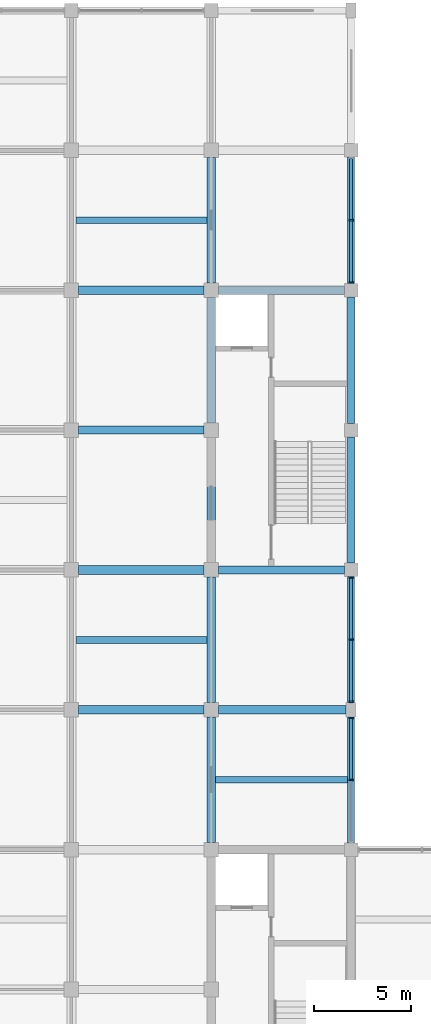
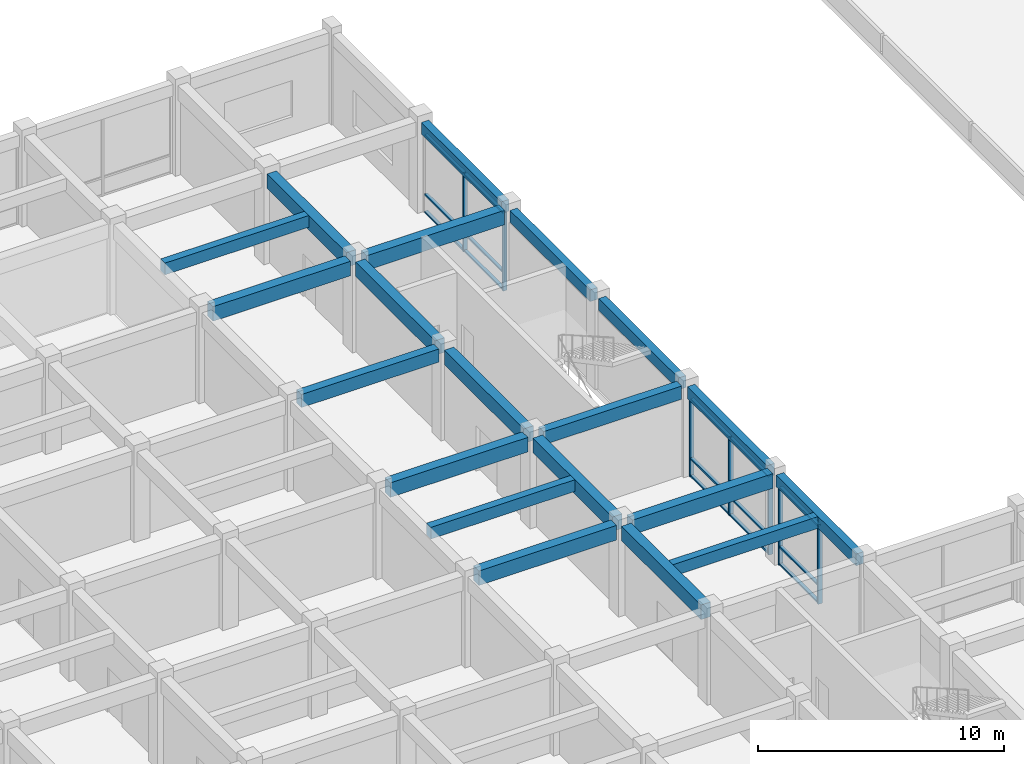
# One storey, part 10 of 30: 22 members, 20 beams, 3 elements without a shape of their own.
"""IFC4 building model written with IfcOpenShell, lengths in metres."""

from ifc_helpers import new_model, si_unit, direction, frame, origin, origin_2d, place, context, subcontext, project, spatial, rectangle, extrude, material, layer, layer_set, material_profile, profile_set, type_object, element, aggregate, save


model = new_model("IFC4")

# Units and contexts
model_context = context("Model", 3, precision=1e-05, world=origin(), true_north=direction((0.0, 1.0)))
body_context = subcontext(model_context, "Body", "Model", "MODEL_VIEW")
ifc_project = project(units=[si_unit("LENGTHUNIT", "METRE"), si_unit("AREAUNIT", "SQUARE_METRE"), si_unit("VOLUMEUNIT", "CUBIC_METRE"), si_unit("PLANEANGLEUNIT", "RADIAN"), si_unit("MASSUNIT", "GRAM", prefix="KILO")], contexts=[model_context])

# Site, building, storey
site_placement = place(None, origin())
site = spatial("IfcSite", under=ifc_project, at=site_placement, CompositionType="ELEMENT")
building_placement = place(site_placement, origin())
building = spatial("IfcBuilding", under=site, at=building_placement, Name="Cendaluz Park School", CompositionType="ELEMENT")
storey_placement = place(building_placement, frame((0.0, 0.0, 9.60009765625)))
storey = spatial("IfcBuildingStorey", under=building, at=storey_placement, Name="L02", CompositionType="ELEMENT", Elevation=9.60009765625)

# Beams
ifc_material_1 = material(Name="Concrete C40/50", Category="concrete")
ifc_material_profile_1 = material_profile(ifc_material_1, rectangle(XDim=0.449951171875, YDim=0.719970703125, at=origin_2d()), Name="RC 450x720", Category="concrete")
ifc_profile_set_1 = profile_set([ifc_material_profile_1], Name="Concrete C40/50")
beam_type_1 = type_object("IfcBeamType", Name="BM-RC02", PredefinedType="BEAM", material=ifc_profile_set_1)
for number, where, z_axis, x_axis, name in (
    (1, (93.97509765625, 36.0, 4.099853515625), (1.0, 0.0, 0.0), (0.0, 1.0, 0.0), "BM-L02-BMRC02-0078"),
    (2, (93.97509765625, 43.199951171875, 4.099853515625), (1.0, 0.0, 0.0), (0.0, 1.0, 0.0), "BM-L02-BMRC02-0079"),
    (3, (93.97509765625, 57.60009765625, 4.099853515625), (1.0, 0.0, 0.0), (0.0, 1.0, 0.0), "BM-L02-BMRC02-0081"),
):
    element("IfcBeam", number, at=place(storey_placement, frame(where, z_axis=z_axis, x_axis=x_axis)), inside=storey, type_object=beam_type_1, Name=name, PredefinedType="BEAM", context=body_context, shape_type="SweptSolid", body=[
        extrude(rectangle(XDim=0.449951171875, YDim=0.719970703125, at=origin_2d()), origin(), (0.0, 0.0, 1.0), 6.449951171875),
    ])
beam_1_placement = place(storey_placement, frame((101.175048828125, 36.0, 4.099853515625), z_axis=(1.0, 0.0, 0.0), x_axis=(0.0, 1.0, 0.0)))
element("IfcBeam", 4, at=beam_1_placement, inside=storey, type_object=beam_type_1, Name="BM-L02-BMRC02-0087", PredefinedType="BEAM", context=body_context, shape_type="SweptSolid", body=[
    extrude(rectangle(XDim=0.449951171875, YDim=0.719970703125, at=origin_2d()), origin(), (0.0, 0.0, 1.0), 6.574951171875),
])
beam_2_placement = place(storey_placement, frame((101.175048828125, 57.60009765625, 4.099853515625), z_axis=(1.0, 0.0, 0.0), x_axis=(0.0, 1.0, 0.0)))
element("IfcBeam", 5, at=beam_2_placement, inside=storey, type_object=beam_type_1, Name="BM-L02-BMRC02-0089", PredefinedType="BEAM", context=body_context, shape_type="SweptSolid", body=[
    extrude(rectangle(XDim=0.449951171875, YDim=0.719970703125, at=origin_2d()), origin(), (0.0, 0.0, 1.0), 6.474853515625),
])
for number, where, z_axis, x_axis, name in (
    (6, (100.800048828125, 29.175048828125, 4.099853515625), (0.0, 1.0, 0.0), (-1.0, 0.0, 0.0), "BM-L02-BMRC02-0202"),
    (7, (100.800048828125, 36.375, 4.099853515625), (0.0, 1.0, 0.0), (-1.0, 0.0, 0.0), "BM-L02-BMRC02-0203"),
    (8, (100.800048828125, 43.574951171875, 4.099853515625), (0.0, 1.0, 0.0), (-1.0, 0.0, 0.0), "BM-L02-BMRC02-0204"),
):
    element("IfcBeam", number, at=place(storey_placement, frame(where, z_axis=z_axis, x_axis=x_axis)), inside=storey, type_object=beam_type_1, Name=name, PredefinedType="BEAM", context=body_context, shape_type="SweptSolid", body=[
        extrude(rectangle(XDim=0.449951171875, YDim=0.719970703125, at=origin_2d()), origin(), (0.0, 0.0, 1.0), 6.449951171875),
    ])
beam_3_placement = place(storey_placement, frame((100.800048828125, 50.77490234375, 4.099853515625), z_axis=(0.0, 1.0, 0.0), x_axis=(-1.0, 0.0, 0.0)))
element("IfcBeam", 9, at=beam_3_placement, inside=storey, type_object=beam_type_1, Name="BM-L02-BMRC02-0205", PredefinedType="BEAM", context=body_context, shape_type="SweptSolid", body=[
    extrude(rectangle(XDim=0.449951171875, YDim=0.719970703125, at=origin_2d()), origin(), (0.0, 0.0, 1.0), 6.4501953125),
])
beam_4_placement = place(storey_placement, frame((100.800048828125, 57.97509765625, 4.099853515625), z_axis=(0.0, 1.0, 0.0), x_axis=(-1.0, 0.0, 0.0)))
element("IfcBeam", 10, at=beam_4_placement, inside=storey, type_object=beam_type_1, Name="BM-L02-BMRC02-0206", PredefinedType="BEAM", context=body_context, shape_type="SweptSolid", body=[
    extrude(rectangle(XDim=0.449951171875, YDim=0.719970703125, at=origin_2d()), origin(), (0.0, 0.0, 1.0), 6.449951171875),
])
ifc_material_profile_2 = material_profile(ifc_material_1, rectangle(XDim=0.39990234375, YDim=0.64990234375, at=origin_2d()), Name="RC 400x650", Category="concrete")
ifc_profile_set_2 = profile_set([ifc_material_profile_2], Name="Concrete C40/50")
beam_type_2 = type_object("IfcBeamType", Name="BM-RC03", PredefinedType="T_BEAM", material=ifc_profile_set_2)
beam_5_placement = place(storey_placement, frame((93.97509765625, 50.39990234375, 4.135009765625), z_axis=(1.0, 0.0, 0.0), x_axis=(0.0, 1.0, 0.0)))
element("IfcBeam", 11, at=beam_5_placement, inside=storey, type_object=beam_type_2, Name="BM-L02-BMRC03-0080", PredefinedType="T_BEAM", context=body_context, shape_type="SweptSolid", body=[
    extrude(rectangle(XDim=0.39990234375, YDim=0.64990234375, at=origin_2d()), origin(), (0.0, 0.0, 1.0), 6.449951171875),
])
beam_6_placement = place(storey_placement, frame((101.175048828125, 43.199951171875, 4.135009765625), z_axis=(1.0, 0.0, 0.0), x_axis=(0.0, 1.0, 0.0)))
element("IfcBeam", 12, at=beam_6_placement, inside=storey, type_object=beam_type_2, Name="BM-L02-BMRC03-0088", PredefinedType="T_BEAM", context=body_context, shape_type="SweptSolid", body=[
    extrude(rectangle(XDim=0.39990234375, YDim=0.64990234375, at=origin_2d()), origin(), (0.0, 0.0, 1.0), 6.474853515625),
])
ifc_material_profile_3 = material_profile(ifc_material_1, rectangle(XDim=0.35009765625, YDim=0.580078125, at=origin_2d()), Name="RC 350x580", Category="concrete")
ifc_profile_set_3 = profile_set([ifc_material_profile_3], Name="Concrete C40/50")
beam_type_3 = type_object("IfcBeamType", Name="BM-RC04", PredefinedType="LINTEL", material=ifc_profile_set_3)
for number, where, z_axis, x_axis, name in (
    (13, (108.0, 29.14990234375, 4.169921875), (0.0, 1.0, 0.0), (-1.0, 0.0, 0.0), "BM-L02-BMRC04-0211"),
    (14, (108.0, 36.375, 4.169921875), (0.0, 1.0, 0.0), (-1.0, 0.0, 0.0), "BM-L02-BMRC04-0212"),
):
    element("IfcBeam", number, at=place(storey_placement, frame(where, z_axis=z_axis, x_axis=x_axis)), inside=storey, type_object=beam_type_3, Name=name, PredefinedType="LINTEL", context=body_context, shape_type="SweptSolid", body=[
        extrude(rectangle(XDim=0.35009765625, YDim=0.580078125, at=origin_2d()), origin(), (0.0, 0.0, 1.0), 6.47509765625),
    ])
for number, where, z_axis, x_axis, name in (
    (15, (108.0, 43.550048828125, 4.169921875), (0.0, 1.0, 0.0), (-1.0, 0.0, 0.0), "BM-L02-BMRC04-0213"),
    (16, (108.0, 50.75, 4.169921875), (0.0, 1.0, 0.0), (-1.0, 0.0, 0.0), "BM-L02-BMRC04-0214"),
    (17, (108.0, 57.949951171875, 4.169921875), (0.0, 1.0, 0.0), (-1.0, 0.0, 0.0), "BM-L02-BMRC04-0215"),
):
    element("IfcBeam", number, at=place(storey_placement, frame(where, z_axis=z_axis, x_axis=x_axis)), inside=storey, type_object=beam_type_3, Name=name, PredefinedType="LINTEL", context=body_context, shape_type="SweptSolid", body=[
        extrude(rectangle(XDim=0.35009765625, YDim=0.580078125, at=origin_2d()), origin(), (0.0, 0.0, 1.0), 6.5),
    ])

# Curtain wall, members
ifc_material_2 = material(Name="Anodised Aluminium 6063-T6", Category="aluminium")
ifc_layer = layer(ifc_material_2, 0.179931640625)
ifc_layer_set = layer_set([ifc_layer], Name="Anodised Aluminium 6063-T6")
curtain_wall_type = type_object("IfcCurtainWallType", Name="CW-130x78", PredefinedType="NOTDEFINED", material=ifc_layer_set)
curtain_wall_1_placement = place(storey_placement, origin())
curtain_wall_1 = element("IfcCurtainWall", 18, at=curtain_wall_1_placement, inside=storey, type_object=curtain_wall_type, Name="CW-L02-115", PredefinedType="NOTDEFINED")
ifc_material_profile_4 = material_profile(ifc_material_2, rectangle(XDim=0.199951171875, YDim=0.080078125, at=origin_2d()), Name="CWM 200x80", Category="aluminium")
ifc_profile_set_4 = profile_set([ifc_material_profile_4], Name="Anodised Aluminium 6063-T6")
member_type_1 = type_object("IfcMemberType", Name="CWM-02", PredefinedType="MULLION", material=ifc_profile_set_4)
member_1_placement = place(storey_placement, frame((108.0, 32.387451171875, 0.0), z_axis=(0.0, 0.0, 1.0), x_axis=(-1.0, 0.0, 0.0)))
member_1 = element("IfcMember", 19, at=member_1_placement, type_object=member_type_1, Name="CP-L02-1484", PredefinedType="MULLION", context=body_context, shape_type="SweptSolid", body=[
    extrude(rectangle(XDim=0.199951171875, YDim=0.080078125, at=origin_2d()), origin(), (0.0, 0.0, 1.0), 3.8798828125),
])
member_2_placement = place(storey_placement, frame((108.0, 35.5849609375, 0.0), z_axis=(0.0, 0.0, 1.0), x_axis=(-1.0, 0.0, 0.0)))
member_2 = element("IfcMember", 20, at=member_2_placement, type_object=member_type_1, Name="CP-L02-1485", PredefinedType="MULLION", context=body_context, shape_type="SweptSolid", body=[
    extrude(rectangle(XDim=0.199951171875, YDim=0.080078125, at=origin_2d()), origin(), (0.0, 0.0, 1.0), 3.8798828125),
])

curtain_wall_2_placement = place(storey_placement, origin())
curtain_wall_2 = element("IfcCurtainWall", 21, at=curtain_wall_2_placement, inside=storey, type_object=curtain_wall_type, Name="CW-L02-116", PredefinedType="NOTDEFINED")
member_3_placement = place(storey_placement, frame((108.0, 36.4150390625, 0.0), z_axis=(0.0, 0.0, 1.0), x_axis=(-1.0, 0.0, 0.0)))
member_3 = element("IfcMember", 22, at=member_3_placement, type_object=member_type_1, Name="CP-L02-1496", PredefinedType="MULLION", context=body_context, shape_type="SweptSolid", body=[
    extrude(rectangle(XDim=0.199951171875, YDim=0.080078125, at=origin_2d()), origin(), (0.0, 0.0, 1.0), 3.8798828125),
])
member_4_placement = place(storey_placement, frame((108.0, 39.612548828125, 0.0), z_axis=(0.0, 0.0, 1.0), x_axis=(-1.0, 0.0, 0.0)))
member_4 = element("IfcMember", 23, at=member_4_placement, type_object=member_type_1, Name="CP-L02-1497", PredefinedType="MULLION", context=body_context, shape_type="SweptSolid", body=[
    extrude(rectangle(XDim=0.199951171875, YDim=0.080078125, at=origin_2d()), origin(), (0.0, 0.0, 1.0), 3.8798828125),
])
member_5_placement = place(storey_placement, frame((108.0, 42.81005859375, 0.0), z_axis=(0.0, 0.0, 1.0), x_axis=(-1.0, 0.0, 0.0)))
member_5 = element("IfcMember", 24, at=member_5_placement, type_object=member_type_1, Name="CP-L02-1498", PredefinedType="MULLION", context=body_context, shape_type="SweptSolid", body=[
    extrude(rectangle(XDim=0.199951171875, YDim=0.080078125, at=origin_2d()), origin(), (0.0, 0.0, 1.0), 3.8798828125),
])

curtain_wall_3_placement = place(storey_placement, origin())
curtain_wall_3 = element("IfcCurtainWall", 25, at=curtain_wall_3_placement, inside=storey, type_object=curtain_wall_type, Name="CW-L02-117", PredefinedType="NOTDEFINED")
member_6_placement = place(storey_placement, frame((108.0, 57.989990234375, 0.0), z_axis=(0.0, 0.0, 1.0), x_axis=(-1.0, 0.0, 0.0)))
member_6 = element("IfcMember", 26, at=member_6_placement, type_object=member_type_1, Name="CP-L02-1509", PredefinedType="MULLION", context=body_context, shape_type="SweptSolid", body=[
    extrude(rectangle(XDim=0.199951171875, YDim=0.080078125, at=origin_2d()), origin(), (0.0, 0.0, 1.0), 3.8798828125),
])
member_7_placement = place(storey_placement, frame((108.0, 61.199951171875, 0.0), z_axis=(0.0, 0.0, 1.0), x_axis=(-1.0, 0.0, 0.0)))
member_7 = element("IfcMember", 27, at=member_7_placement, type_object=member_type_1, Name="CP-L02-1510", PredefinedType="MULLION", context=body_context, shape_type="SweptSolid", body=[
    extrude(rectangle(XDim=0.199951171875, YDim=0.080078125, at=origin_2d()), origin(), (0.0, 0.0, 1.0), 3.8798828125),
])

# Member
ifc_material_profile_5 = material_profile(ifc_material_2, rectangle(XDim=0.14990234375, YDim=0.080078125, at=origin_2d()), Name="CWT 150x80", Category="aluminium")
ifc_profile_set_5 = profile_set([ifc_material_profile_5], Name="Anodised Aluminium 6063-T6")
member_type_2 = type_object("IfcMemberType", Name="CWT-02", PredefinedType="USERDEFINED", material=ifc_profile_set_5)
member_8_placement = place(storey_placement, frame((108.0, 32.427490234375, 0.039794921875), z_axis=(0.0, 1.0, 0.0), x_axis=(-1.0, 0.0, 0.0)))
member_8 = element("IfcMember", 28, at=member_8_placement, type_object=member_type_2, Name="CP-L02-1491", ObjectType="TRANSOM", PredefinedType="USERDEFINED", context=body_context, shape_type="SweptSolid", body=[
    extrude(rectangle(XDim=0.14990234375, YDim=0.080078125, at=origin_2d()), origin(), (0.0, 0.0, 1.0), 3.117431640625),
])

member_9_placement = place(storey_placement, frame((108.0, 32.427490234375, 0.89990234375), z_axis=(0.0, 1.0, 0.0), x_axis=(-1.0, 0.0, 0.0)))
member_9 = element("IfcMember", 29, at=member_9_placement, type_object=member_type_2, Name="CP-L02-1492", ObjectType="TRANSOM", PredefinedType="USERDEFINED", context=body_context, shape_type="SweptSolid", body=[
    extrude(rectangle(XDim=0.14990234375, YDim=0.080078125, at=origin_2d()), origin(), (0.0, 0.0, 1.0), 3.117431640625),
])

member_10_placement = place(storey_placement, frame((108.0, 32.427490234375, 3.83984375), z_axis=(0.0, 1.0, 0.0), x_axis=(-1.0, 0.0, 0.0)))
member_10 = element("IfcMember", 30, at=member_10_placement, type_object=member_type_2, Name="CP-L02-1493", ObjectType="TRANSOM", PredefinedType="USERDEFINED", context=body_context, shape_type="SweptSolid", body=[
    extrude(rectangle(XDim=0.14990234375, YDim=0.080078125, at=origin_2d()), origin(), (0.0, 0.0, 1.0), 3.117431640625),
])

aggregate(curtain_wall_1, [member_1, member_2, member_8, member_9, member_10])

member_11_placement = place(storey_placement, frame((108.0, 36.455078125, 0.039794921875), z_axis=(0.0, 1.0, 0.0), x_axis=(-1.0, 0.0, 0.0)))
member_11 = element("IfcMember", 31, at=member_11_placement, type_object=member_type_2, Name="CP-L02-1499", ObjectType="TRANSOM", PredefinedType="USERDEFINED", context=body_context, shape_type="SweptSolid", body=[
    extrude(rectangle(XDim=0.14990234375, YDim=0.080078125, at=origin_2d()), origin(), (0.0, 0.0, 1.0), 3.117431640625),
])

member_12_placement = place(storey_placement, frame((108.0, 36.455078125, 0.89990234375), z_axis=(0.0, 1.0, 0.0), x_axis=(-1.0, 0.0, 0.0)))
member_12 = element("IfcMember", 32, at=member_12_placement, type_object=member_type_2, Name="CP-L02-1500", ObjectType="TRANSOM", PredefinedType="USERDEFINED", context=body_context, shape_type="SweptSolid", body=[
    extrude(rectangle(XDim=0.14990234375, YDim=0.080078125, at=origin_2d()), origin(), (0.0, 0.0, 1.0), 3.117431640625),
])

member_13_placement = place(storey_placement, frame((108.0, 36.455078125, 3.83984375), z_axis=(0.0, 1.0, 0.0), x_axis=(-1.0, 0.0, 0.0)))
member_13 = element("IfcMember", 33, at=member_13_placement, type_object=member_type_2, Name="CP-L02-1501", ObjectType="TRANSOM", PredefinedType="USERDEFINED", context=body_context, shape_type="SweptSolid", body=[
    extrude(rectangle(XDim=0.14990234375, YDim=0.080078125, at=origin_2d()), origin(), (0.0, 0.0, 1.0), 3.117431640625),
])

member_14_placement = place(storey_placement, frame((108.0, 39.652587890625, 0.039794921875), z_axis=(0.0, 1.0, 0.0), x_axis=(-1.0, 0.0, 0.0)))
member_14 = element("IfcMember", 34, at=member_14_placement, type_object=member_type_2, Name="CP-L02-1504", ObjectType="TRANSOM", PredefinedType="USERDEFINED", context=body_context, shape_type="SweptSolid", body=[
    extrude(rectangle(XDim=0.14990234375, YDim=0.080078125, at=origin_2d()), origin(), (0.0, 0.0, 1.0), 3.117431640625),
])

member_15_placement = place(storey_placement, frame((108.0, 39.652587890625, 0.89990234375), z_axis=(0.0, 1.0, 0.0), x_axis=(-1.0, 0.0, 0.0)))
member_15 = element("IfcMember", 35, at=member_15_placement, type_object=member_type_2, Name="CP-L02-1505", ObjectType="TRANSOM", PredefinedType="USERDEFINED", context=body_context, shape_type="SweptSolid", body=[
    extrude(rectangle(XDim=0.14990234375, YDim=0.080078125, at=origin_2d()), origin(), (0.0, 0.0, 1.0), 3.117431640625),
])

member_16_placement = place(storey_placement, frame((108.0, 39.652587890625, 3.83984375), z_axis=(0.0, 1.0, 0.0), x_axis=(-1.0, 0.0, 0.0)))
member_16 = element("IfcMember", 36, at=member_16_placement, type_object=member_type_2, Name="CP-L02-1506", ObjectType="TRANSOM", PredefinedType="USERDEFINED", context=body_context, shape_type="SweptSolid", body=[
    extrude(rectangle(XDim=0.14990234375, YDim=0.080078125, at=origin_2d()), origin(), (0.0, 0.0, 1.0), 3.117431640625),
])

aggregate(curtain_wall_2, [member_3, member_4, member_5, member_11, member_12, member_13, member_14, member_15, member_16])

member_17_placement = place(storey_placement, frame((108.0, 58.030029296875, 0.039794921875), z_axis=(0.0, 1.0, 0.0), x_axis=(-1.0, 0.0, 0.0)))
member_17 = element("IfcMember", 37, at=member_17_placement, type_object=member_type_2, Name="CP-L02-1512", ObjectType="TRANSOM", PredefinedType="USERDEFINED", context=body_context, shape_type="SweptSolid", body=[
    extrude(rectangle(XDim=0.14990234375, YDim=0.080078125, at=origin_2d()), origin(), (0.0, 0.0, 1.0), 3.1298828125),
])

member_18_placement = place(storey_placement, frame((108.0, 58.030029296875, 0.89990234375), z_axis=(0.0, 1.0, 0.0), x_axis=(-1.0, 0.0, 0.0)))
member_18 = element("IfcMember", 38, at=member_18_placement, type_object=member_type_2, Name="CP-L02-1513", ObjectType="TRANSOM", PredefinedType="USERDEFINED", context=body_context, shape_type="SweptSolid", body=[
    extrude(rectangle(XDim=0.14990234375, YDim=0.080078125, at=origin_2d()), origin(), (0.0, 0.0, 1.0), 3.1298828125),
])

member_19_placement = place(storey_placement, frame((108.0, 58.030029296875, 3.83984375), z_axis=(0.0, 1.0, 0.0), x_axis=(-1.0, 0.0, 0.0)))
member_19 = element("IfcMember", 39, at=member_19_placement, type_object=member_type_2, Name="CP-L02-1514", ObjectType="TRANSOM", PredefinedType="USERDEFINED", context=body_context, shape_type="SweptSolid", body=[
    extrude(rectangle(XDim=0.14990234375, YDim=0.080078125, at=origin_2d()), origin(), (0.0, 0.0, 1.0), 3.1298828125),
])

member_20_placement = place(storey_placement, frame((108.0, 61.239990234375, 0.039794921875), z_axis=(0.0, 1.0, 0.0), x_axis=(-1.0, 0.0, 0.0)))
member_20 = element("IfcMember", 40, at=member_20_placement, type_object=member_type_2, Name="CP-L02-1517", ObjectType="TRANSOM", PredefinedType="USERDEFINED", context=body_context, shape_type="SweptSolid", body=[
    extrude(rectangle(XDim=0.14990234375, YDim=0.080078125, at=origin_2d()), origin(), (0.0, 0.0, 1.0), 3.130126953125),
])

member_21_placement = place(storey_placement, frame((108.0, 61.239990234375, 0.89990234375), z_axis=(0.0, 1.0, 0.0), x_axis=(-1.0, 0.0, 0.0)))
member_21 = element("IfcMember", 41, at=member_21_placement, type_object=member_type_2, Name="CP-L02-1518", ObjectType="TRANSOM", PredefinedType="USERDEFINED", context=body_context, shape_type="SweptSolid", body=[
    extrude(rectangle(XDim=0.14990234375, YDim=0.080078125, at=origin_2d()), origin(), (0.0, 0.0, 1.0), 3.130126953125),
])

member_22_placement = place(storey_placement, frame((108.0, 61.239990234375, 3.83984375), z_axis=(0.0, 1.0, 0.0), x_axis=(-1.0, 0.0, 0.0)))
member_22 = element("IfcMember", 42, at=member_22_placement, type_object=member_type_2, Name="CP-L02-1519", ObjectType="TRANSOM", PredefinedType="USERDEFINED", context=body_context, shape_type="SweptSolid", body=[
    extrude(rectangle(XDim=0.14990234375, YDim=0.080078125, at=origin_2d()), origin(), (0.0, 0.0, 1.0), 3.130126953125),
])

aggregate(curtain_wall_3, [member_6, member_7, member_17, member_18, member_19, member_20, member_21, member_22])

# Beams
ifc_material_profile_6 = material_profile(ifc_material_1, rectangle(XDim=0.35009765625, YDim=0.580078125, at=origin_2d()), Name="RC 350x580", Category="concrete")
ifc_profile_set_6 = profile_set([ifc_material_profile_6], Name="Concrete C40/50")
beam_type_4 = type_object("IfcBeamType", Name="JT-RC01", PredefinedType="JOIST", material=ifc_profile_set_6)
for number, where, z_axis, x_axis, name in (
    (43, (93.824951171875, 39.60009765625, 4.169921875), (1.0, 0.0, 0.0), (0.0, 1.0, 0.0), "BM-L02-JTRC01-0264"),
    (44, (93.824951171875, 61.199951171875, 4.169921875), (1.0, 0.0, 0.0), (0.0, 1.0, 0.0), "BM-L02-JTRC01-0265"),
):
    element("IfcBeam", number, at=place(storey_placement, frame(where, z_axis=z_axis, x_axis=x_axis)), inside=storey, type_object=beam_type_4, Name=name, PredefinedType="JOIST", context=body_context, shape_type="SweptSolid", body=[
        extrude(rectangle(XDim=0.35009765625, YDim=0.580078125, at=origin_2d()), origin(), (0.0, 0.0, 1.0), 6.75),
    ])
beam_7_placement = place(storey_placement, frame((101.02490234375, 32.39990234375, 4.169921875), z_axis=(1.0, 0.0, 0.0), x_axis=(0.0, 1.0, 0.0)))
element("IfcBeam", 45, at=beam_7_placement, inside=storey, type_object=beam_type_4, Name="BM-L02-JTRC01-0267", PredefinedType="JOIST", context=body_context, shape_type="SweptSolid", body=[
    extrude(rectangle(XDim=0.35009765625, YDim=0.580078125, at=origin_2d()), origin(), (0.0, 0.0, 1.0), 6.800048828125),
])

save(model, "model.ifc")
